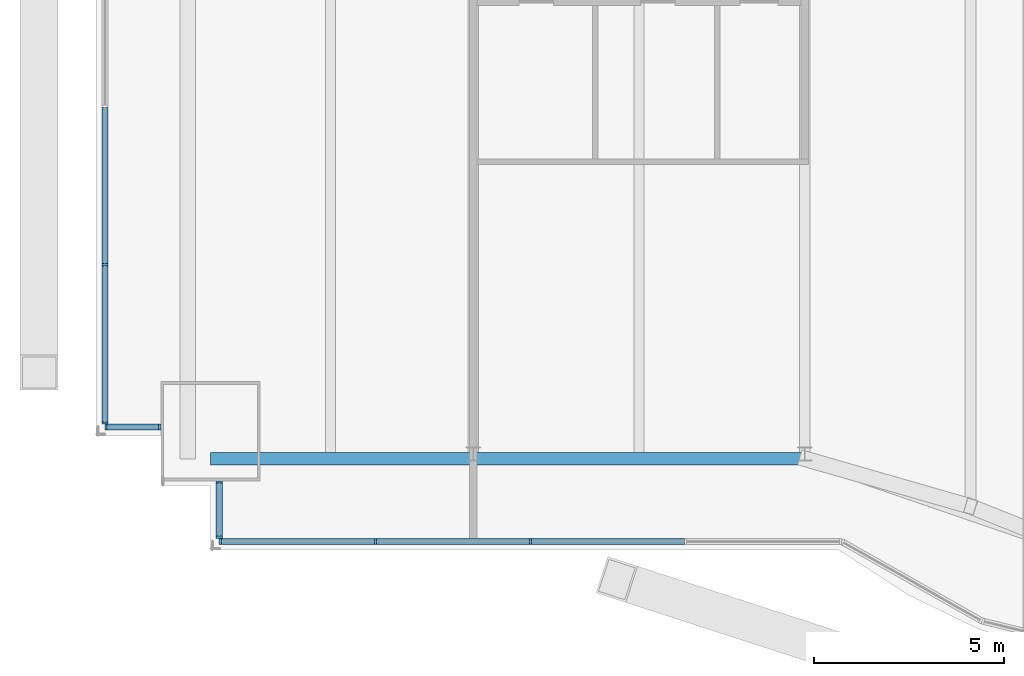
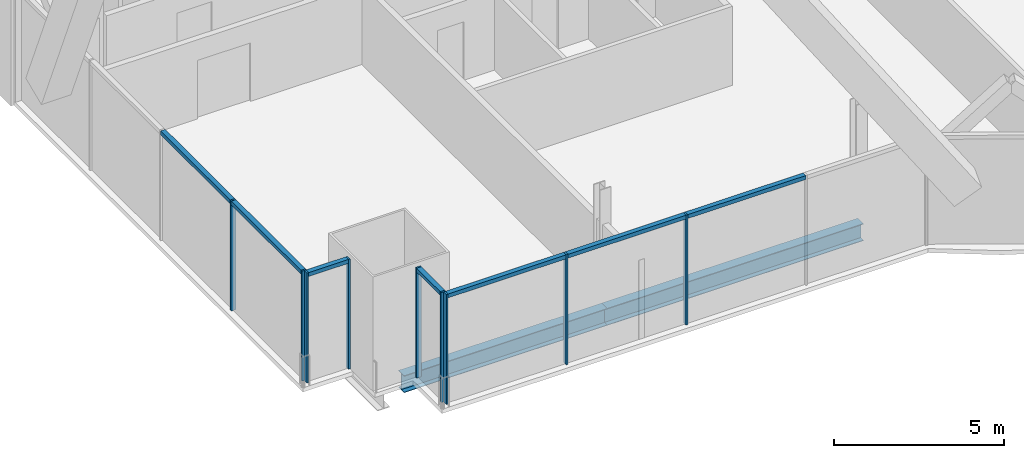
# One storey, part 5 of 24: 16 members, 2 beams, 4 elements without a shape of their own.
"""IFC4 building model written with IfcOpenShell, lengths in metres."""

from ifc_helpers import new_model, si_unit, direction, frame, origin, origin_2d, place, context, subcontext, project, spatial, rectangle, i_section, extrude, material, material_profile, profile_set, type_object, element, aggregate, save


model = new_model("IFC4")

# Units and contexts
model_context = context("Model", 3, precision=1e-05, world=origin(), true_north=direction((0.0, 1.0)))
body_context = subcontext(model_context, "Body", "Model", "MODEL_VIEW")
ifc_project = project(units=[si_unit("LENGTHUNIT", "METRE"), si_unit("AREAUNIT", "SQUARE_METRE"), si_unit("VOLUMEUNIT", "CUBIC_METRE"), si_unit("PLANEANGLEUNIT", "RADIAN"), si_unit("MASSUNIT", "GRAM", prefix="KILO")], contexts=[model_context])

# Site, building, storey
site_placement = place(None, origin())
site = spatial("IfcSite", under=ifc_project, at=site_placement, CompositionType="ELEMENT")
building_placement = place(site_placement, origin())
building = spatial("IfcBuilding", under=site, at=building_placement, Name="Bicima Exchange Tower", CompositionType="ELEMENT")
storey_placement = place(building_placement, frame((0.0, 0.0, 211.39990234375)))
storey = spatial("IfcBuildingStorey", under=building, at=storey_placement, Name="L47", CompositionType="ELEMENT", Elevation=211.39990234375)

# Curtain wall, members
ifc_material_1 = material(Name="Anodised bronze aluminium", Category="aluminium")
curtain_wall_type_1 = type_object("IfcCurtainWallType", Name="End face glass wall", PredefinedType="NOTDEFINED", material=ifc_material_1)
curtain_wall_1_placement = place(storey_placement, origin())
curtain_wall_1 = element("IfcCurtainWall", 1, at=curtain_wall_1_placement, inside=storey, type_object=curtain_wall_type_1, Name="End face glass wall L47 run 2", PredefinedType="NOTDEFINED")
ifc_material_profile_1 = material_profile(ifc_material_1, rectangle(XDim=0.159912109375, YDim=0.06005859375, at=origin_2d()))
ifc_profile_set_1 = profile_set([ifc_material_profile_1], Name="Anodised bronze aluminium")
member_type_1 = type_object("IfcMemberType", Name="End face glass wall mullion 60 x 160", PredefinedType="MULLION", material=ifc_profile_set_1)
member_1_placement = place(storey_placement, frame((-35.77001953125, -24.49951171875, 0.0), z_axis=(0.0, 0.0, 1.0), x_axis=(1.0, 0.0, 0.0)))
member_1 = element("IfcMember", 2, at=member_1_placement, type_object=member_type_1, Name="End face glass wall mullion 4", PredefinedType="MULLION", context=body_context, shape_type="SweptSolid", body=[
    extrude(rectangle(XDim=0.159912109375, YDim=0.06005859375, at=origin_2d()), origin(), (0.0, 0.0, 1.0), 3.9501953125),
])
member_2_placement = place(storey_placement, frame((-35.77001953125, -28.656005859375, 0.0), z_axis=(0.0, 0.0, 1.0), x_axis=(1.0, 0.0, 0.0)))
member_2 = element("IfcMember", 3, at=member_2_placement, type_object=member_type_1, Name="End face glass wall mullion 5", PredefinedType="MULLION", context=body_context, shape_type="SweptSolid", body=[
    extrude(rectangle(XDim=0.159912109375, YDim=0.06005859375, at=origin_2d()), origin(), (0.0, 0.0, 1.0), 3.9501953125),
])
ifc_material_profile_2 = material_profile(ifc_material_1, rectangle(XDim=0.159912109375, YDim=0.139892578125, at=origin_2d()))
ifc_profile_set_2 = profile_set([ifc_material_profile_2], Name="Anodised bronze aluminium")
member_type_2 = type_object("IfcMemberType", Name="End face glass wall transom 140 x 160", PredefinedType="USERDEFINED", material=ifc_profile_set_2)
member_3_placement = place(storey_placement, frame((-35.77001953125, -20.373046875, 3.880126953125), z_axis=(0.0, -1.0, 0.0), x_axis=(1.0, 0.0, 0.0)))
member_3 = element("IfcMember", 4, at=member_3_placement, type_object=member_type_2, Name="End face glass wall transom 3.1", ObjectType="TRANSOM", PredefinedType="USERDEFINED", context=body_context, shape_type="SweptSolid", body=[
    extrude(rectangle(XDim=0.159912109375, YDim=0.139892578125, at=origin_2d()), origin(), (0.0, 0.0, 1.0), 4.096435546875),
])
member_4_placement = place(storey_placement, frame((-35.77001953125, -24.529541015625, 3.880126953125), z_axis=(0.0, -1.0, 0.0), x_axis=(1.0, 0.0, 0.0)))
member_4 = element("IfcMember", 5, at=member_4_placement, type_object=member_type_2, Name="End face glass wall transom 4.1", ObjectType="TRANSOM", PredefinedType="USERDEFINED", context=body_context, shape_type="SweptSolid", body=[
    extrude(rectangle(XDim=0.159912109375, YDim=0.139892578125, at=origin_2d()), origin(), (0.0, 0.0, 1.0), 4.096435546875),
])
aggregate(curtain_wall_1, [member_1, member_2, member_3, member_4])

# Beams
ifc_material_2 = material(Name="Steel ASTM A992 Gr 50", Category="steel")
ifc_material_profile_3 = material_profile(ifc_material_2, i_section(OverallWidth=0.3251953125, OverallDepth=0.612060546875, WebThickness=0.0126953125, FlangeThickness=0.01904296875, at=origin_2d()))
ifc_profile_set_3 = profile_set([ifc_material_profile_3], Name="Steel ASTM A992 Gr 50")
beam_type = type_object("IfcBeamType", Name="Front girder W24x104", PredefinedType="BEAM", material=ifc_profile_set_3)
beam_1_placement = place(storey_placement, frame((-33.0, -29.595947265625, -0.4560546875), z_axis=(1.0, 0.0, 0.0), x_axis=(0.0, 1.0, 0.0)))
element("IfcBeam", 6, at=beam_1_placement, inside=storey, type_object=beam_type, Name="Front girder", PredefinedType="BEAM", context=body_context, shape_type="SweptSolid", body=[
    extrude(i_section(OverallWidth=0.3251953125, OverallDepth=0.612060546875, WebThickness=0.0126953125, FlangeThickness=0.01904296875, at=origin_2d()), origin(), (0.0, 0.0, 1.0), 6.89990234375),
])
beam_2_placement = place(storey_placement, frame((-26.10009765625, -29.595947265625, -0.4560546875), z_axis=(1.0, 0.0, 0.0), x_axis=(0.0, 1.0, 0.0)))
element("IfcBeam", 7, at=beam_2_placement, inside=storey, type_object=beam_type, Name="Front girder", PredefinedType="BEAM", context=body_context, shape_type="SweptSolid", body=[
    extrude(i_section(OverallWidth=0.3251953125, OverallDepth=0.612060546875, WebThickness=0.0126953125, FlangeThickness=0.01904296875, at=origin_2d()), origin(), (0.0, 0.0, 1.0), 8.7001953125),
])

# Curtain wall, members
curtain_wall_type_2 = type_object("IfcCurtainWallType", Name="Front glass wall", PredefinedType="NOTDEFINED", material=ifc_material_1)
curtain_wall_2_placement = place(storey_placement, origin())
curtain_wall_2 = element("IfcCurtainWall", 8, at=curtain_wall_2_placement, inside=storey, type_object=curtain_wall_type_2, Name="Front glass wall L47 run 3", PredefinedType="NOTDEFINED")
member_type_3 = type_object("IfcMemberType", Name="Front glass wall mullion 60 x 160", PredefinedType="MULLION", material=ifc_profile_set_1)
member_5_placement = place(storey_placement, frame((-35.739990234375, -28.76611328125, 0.0), z_axis=(0.0, 0.0, 1.0), x_axis=(0.0, 1.0, 0.0)))
member_5 = element("IfcMember", 9, at=member_5_placement, type_object=member_type_3, Name="Front glass wall mullion 1", PredefinedType="MULLION", context=body_context, shape_type="SweptSolid", body=[
    extrude(rectangle(XDim=0.159912109375, YDim=0.06005859375, at=origin_2d()), origin(), (0.0, 0.0, 1.0), 3.9501953125),
])
member_6_placement = place(storey_placement, frame((-34.330078125, -28.76611328125, 0.0), z_axis=(0.0, 0.0, 1.0), x_axis=(0.0, 1.0, 0.0)))
member_6 = element("IfcMember", 10, at=member_6_placement, type_object=member_type_3, Name="Front glass wall mullion 2", PredefinedType="MULLION", context=body_context, shape_type="SweptSolid", body=[
    extrude(rectangle(XDim=0.159912109375, YDim=0.06005859375, at=origin_2d()), origin(), (0.0, 0.0, 1.0), 3.9501953125),
])

curtain_wall_3_placement = place(storey_placement, origin())
curtain_wall_3 = element("IfcCurtainWall", 11, at=curtain_wall_3_placement, inside=storey, type_object=curtain_wall_type_2, Name="Front glass wall L47 run 4", PredefinedType="NOTDEFINED")
member_7_placement = place(storey_placement, frame((-32.77001953125, -30.2041015625, 0.0), z_axis=(0.0, 0.0, 1.0), x_axis=(1.0, 0.0, 0.0)))
member_7 = element("IfcMember", 12, at=member_7_placement, type_object=member_type_3, Name="Front glass wall mullion 1", PredefinedType="MULLION", context=body_context, shape_type="SweptSolid", body=[
    extrude(rectangle(XDim=0.159912109375, YDim=0.06005859375, at=origin_2d()), origin(), (0.0, 0.0, 1.0), 3.9501953125),
])
member_8_placement = place(storey_placement, frame((-32.77001953125, -31.656005859375, 0.0), z_axis=(0.0, 0.0, 1.0), x_axis=(1.0, 0.0, 0.0)))
member_8 = element("IfcMember", 13, at=member_8_placement, type_object=member_type_3, Name="Front glass wall mullion 2", PredefinedType="MULLION", context=body_context, shape_type="SweptSolid", body=[
    extrude(rectangle(XDim=0.159912109375, YDim=0.06005859375, at=origin_2d()), origin(), (0.0, 0.0, 1.0), 3.9501953125),
])

curtain_wall_4_placement = place(storey_placement, origin())
curtain_wall_4 = element("IfcCurtainWall", 14, at=curtain_wall_4_placement, inside=storey, type_object=curtain_wall_type_2, Name="Front glass wall L47 run 5", PredefinedType="NOTDEFINED")
member_9_placement = place(storey_placement, frame((-32.739990234375, -31.76611328125, 0.0), z_axis=(0.0, 0.0, 1.0), x_axis=(0.0, 1.0, 0.0)))
member_9 = element("IfcMember", 15, at=member_9_placement, type_object=member_type_3, Name="Front glass wall mullion 1", PredefinedType="MULLION", context=body_context, shape_type="SweptSolid", body=[
    extrude(rectangle(XDim=0.159912109375, YDim=0.06005859375, at=origin_2d()), origin(), (0.0, 0.0, 1.0), 3.9501953125),
])
member_10_placement = place(storey_placement, frame((-28.67041015625, -31.76611328125, 0.0), z_axis=(0.0, 0.0, 1.0), x_axis=(0.0, 1.0, 0.0)))
member_10 = element("IfcMember", 16, at=member_10_placement, type_object=member_type_3, Name="Front glass wall mullion 2", PredefinedType="MULLION", context=body_context, shape_type="SweptSolid", body=[
    extrude(rectangle(XDim=0.159912109375, YDim=0.06005859375, at=origin_2d()), origin(), (0.0, 0.0, 1.0), 3.9501953125),
])
member_11_placement = place(storey_placement, frame((-24.60107421875, -31.76611328125, 0.0), z_axis=(0.0, 0.0, 1.0), x_axis=(0.0, 1.0, 0.0)))
member_11 = element("IfcMember", 17, at=member_11_placement, type_object=member_type_3, Name="Front glass wall mullion 3", PredefinedType="MULLION", context=body_context, shape_type="SweptSolid", body=[
    extrude(rectangle(XDim=0.159912109375, YDim=0.06005859375, at=origin_2d()), origin(), (0.0, 0.0, 1.0), 3.9501953125),
])

# Member
member_type_4 = type_object("IfcMemberType", Name="Front glass wall transom 140 x 160", PredefinedType="USERDEFINED", material=ifc_profile_set_2)
member_12_placement = place(storey_placement, frame((-35.7099609375, -28.76611328125, 3.880126953125), z_axis=(1.0, 0.0, 0.0), x_axis=(0.0, 1.0, 0.0)))
member_12 = element("IfcMember", 18, at=member_12_placement, type_object=member_type_4, Name="Front glass wall transom 1.1", ObjectType="TRANSOM", PredefinedType="USERDEFINED", context=body_context, shape_type="SweptSolid", body=[
    extrude(rectangle(XDim=0.159912109375, YDim=0.139892578125, at=origin_2d()), origin(), (0.0, 0.0, 1.0), 1.349853515625),
])

aggregate(curtain_wall_2, [member_5, member_6, member_12])

member_13_placement = place(storey_placement, frame((-32.77001953125, -30.23388671875, 3.880126953125), z_axis=(0.0, -1.0, 0.0), x_axis=(1.0, 0.0, 0.0)))
member_13 = element("IfcMember", 19, at=member_13_placement, type_object=member_type_4, Name="Front glass wall transom 1.1", ObjectType="TRANSOM", PredefinedType="USERDEFINED", context=body_context, shape_type="SweptSolid", body=[
    extrude(rectangle(XDim=0.159912109375, YDim=0.139892578125, at=origin_2d()), origin(), (0.0, 0.0, 1.0), 1.39208984375),
])

aggregate(curtain_wall_3, [member_7, member_8, member_13])

member_14_placement = place(storey_placement, frame((-32.7099609375, -31.76611328125, 3.880126953125), z_axis=(1.0, 0.0, 0.0), x_axis=(0.0, 1.0, 0.0)))
member_14 = element("IfcMember", 20, at=member_14_placement, type_object=member_type_4, Name="Front glass wall transom 1.1", ObjectType="TRANSOM", PredefinedType="USERDEFINED", context=body_context, shape_type="SweptSolid", body=[
    extrude(rectangle(XDim=0.159912109375, YDim=0.139892578125, at=origin_2d()), origin(), (0.0, 0.0, 1.0), 4.009521484375),
])

member_15_placement = place(storey_placement, frame((-28.640380859375, -31.76611328125, 3.880126953125), z_axis=(1.0, 0.0, 0.0), x_axis=(0.0, 1.0, 0.0)))
member_15 = element("IfcMember", 21, at=member_15_placement, type_object=member_type_4, Name="Front glass wall transom 2.1", ObjectType="TRANSOM", PredefinedType="USERDEFINED", context=body_context, shape_type="SweptSolid", body=[
    extrude(rectangle(XDim=0.159912109375, YDim=0.139892578125, at=origin_2d()), origin(), (0.0, 0.0, 1.0), 4.00927734375),
])

member_16_placement = place(storey_placement, frame((-24.571044921875, -31.76611328125, 3.880126953125), z_axis=(1.0, 0.0, 0.0), x_axis=(0.0, 1.0, 0.0)))
member_16 = element("IfcMember", 22, at=member_16_placement, type_object=member_type_4, Name="Front glass wall transom 3.1", ObjectType="TRANSOM", PredefinedType="USERDEFINED", context=body_context, shape_type="SweptSolid", body=[
    extrude(rectangle(XDim=0.159912109375, YDim=0.139892578125, at=origin_2d()), origin(), (0.0, 0.0, 1.0), 4.009521484375),
])

aggregate(curtain_wall_4, [member_9, member_10, member_11, member_14, member_15, member_16])

save(model, "model.ifc")
